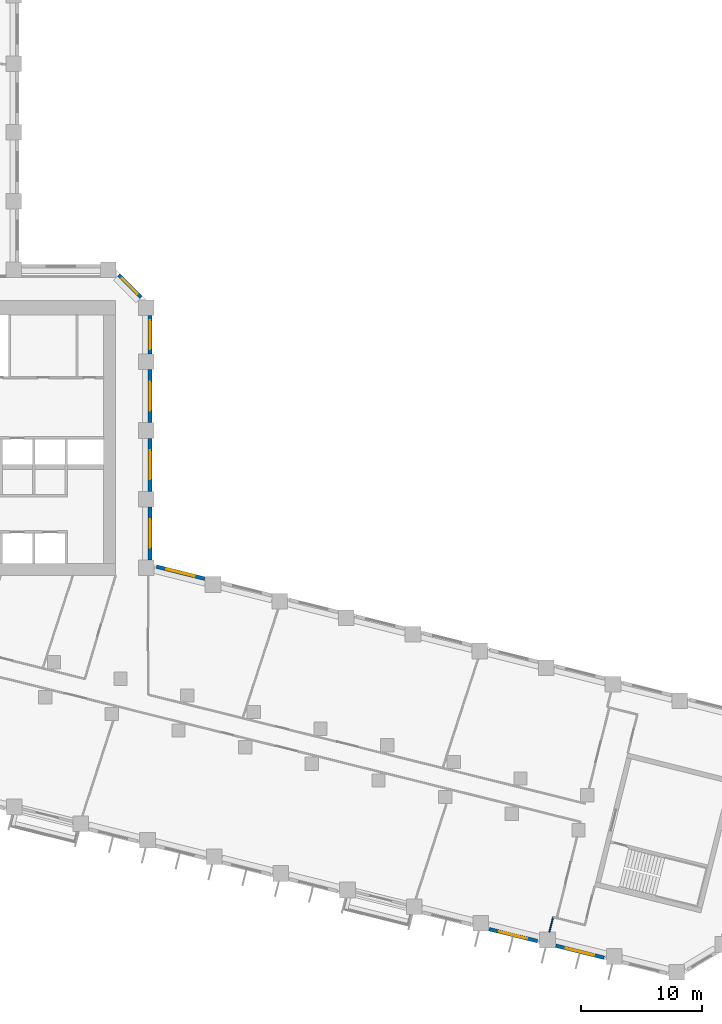
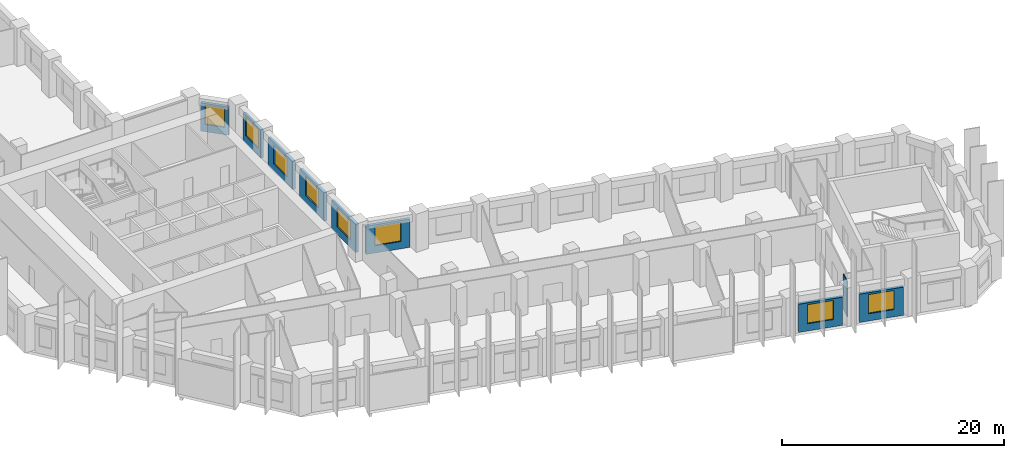
# One storey, part 6 of 11: 9 walls, 8 windows, 8 openings.
"""IFC4 building model written with IfcOpenShell, lengths in metres."""

from ifc_helpers import new_model, si_unit, direction, frame, frame_2d, origin, place, context, subcontext, project, spatial, rectangle, extrude, material, layer, layer_set, type_object, element, fill, save


model = new_model("IFC4")

# Units and contexts
model_context = context("Model", 3, precision=1e-05, world=origin(), true_north=direction((0.0, 1.0)))
body_context = subcontext(model_context, "Body", "Model", "MODEL_VIEW")
ifc_project = project(units=[si_unit("LENGTHUNIT", "METRE"), si_unit("AREAUNIT", "SQUARE_METRE"), si_unit("VOLUMEUNIT", "CUBIC_METRE"), si_unit("PLANEANGLEUNIT", "RADIAN"), si_unit("MASSUNIT", "GRAM", prefix="KILO")], contexts=[model_context])

# Site, building, storey
site_placement = place(None, origin())
site = spatial("IfcSite", under=ifc_project, at=site_placement, CompositionType="ELEMENT")
building_placement = place(site_placement, origin())
building = spatial("IfcBuilding", under=site, at=building_placement, Name="Meshkara Civic Tower", CompositionType="ELEMENT")
storey_placement = place(building_placement, frame((0.0, 0.0, 147.60009765625)))
storey = spatial("IfcBuildingStorey", under=building, at=storey_placement, Name="L33", CompositionType="ELEMENT", Elevation=147.60009765625)

# Wall, opening, window
ifc_material_1 = material(Name="Insulated infill panel with bronze anodised aluminium cladding", Category="aluminium")
ifc_layer_1 = layer(ifc_material_1, 0.300048828125)
ifc_layer_set_1 = layer_set([ifc_layer_1], Name="EXTERNAL INFILL WALL 300")
wall_type_1 = type_object("IfcWallType", Name="EXTERNAL INFILL WALL 300", PredefinedType="SOLIDWALL", material=ifc_layer_set_1)
wall_1_placement = place(storey_placement, frame((38.18896484375, 13.822021484375, 0.0), z_axis=(0.0, 0.0, 1.0), x_axis=(-0.970281616392, 0.241978480223, 0.0)))
wall_1 = element("IfcWall", 1, at=wall_1_placement, inside=storey, type_object=wall_type_1, Name="External wall", PredefinedType="SOLIDWALL", context=body_context, shape_type="SweptSolid", body=[
    extrude(rectangle(XDim=4.12451171875, YDim=0.300048828125, at=frame_2d((2.062255859375, 0.0))), origin(), (0.0, 0.0, 1.0), 3.099853515625),
])
opening_1_placement = place(wall_1_placement, frame((0.862060546875, 0.0, 0.800048828125)))
opening_1 = element("IfcOpeningElement", 2, at=opening_1_placement, cuts=wall_1, Name="Opening W7", PredefinedType="OPENING", context=body_context, shape_type="SweptSolid", body=[
    extrude(rectangle(XDim=2.39990234375, YDim=2.10009765625, at=frame_2d((1.199951171875, 1.050048828125))), frame((0.0, 0.159912109375, 0.0), z_axis=(0.0, -1.0, 0.0), x_axis=(1.0, 0.0, 0.0)), (0.0, 0.0, 1.0), 0.320068359375),
])
ifc_material_2 = material(Name="Tinted double glazing", Category="glass")
window_type_1 = type_object("IfcWindowType", Name="WINDOW 2400x2100", PartitioningType="DOUBLE_PANEL_VERTICAL", PredefinedType="WINDOW", material=ifc_material_2)
window_1_placement = place(opening_1_placement, origin())
window_1 = element("IfcWindow", 3, at=window_1_placement, inside=storey, type_object=window_type_1, Name="Window", OverallHeight=2.10009765625, OverallWidth=2.39990234375, PartitioningType="DOUBLE_PANEL_VERTICAL", PredefinedType="WINDOW", context=body_context, shape_type="SweptSolid", body=[
    extrude(rectangle(XDim=2.39990234375, YDim=2.10009765625, at=frame_2d((1.199951171875, 1.050048828125))), frame((0.0, 0.030029296875, 0.0), z_axis=(0.0, -1.0, 0.0), x_axis=(1.0, 0.0, 0.0)), (0.0, 0.0, 1.0), 0.06005859375),
])
fill(opening_1, window_1)

wall_2_placement = place(storey_placement, frame((33.64990234375, 15.368896484375, 0.0), z_axis=(0.0, 0.0, 1.0), x_axis=(0.0, 1.0, 0.0)))
wall_2 = element("IfcWall", 4, at=wall_2_placement, inside=storey, type_object=wall_type_1, Name="External wall", PredefinedType="SOLIDWALL", context=body_context, shape_type="SweptSolid", body=[
    extrude(rectangle(XDim=4.400146484375, YDim=0.300048828125, at=frame_2d((2.2001953125, 0.0))), origin(), (0.0, 0.0, 1.0), 3.099853515625),
])
opening_2_placement = place(wall_2_placement, frame((1.0, 0.0, 0.800048828125)))
opening_2 = element("IfcOpeningElement", 5, at=opening_2_placement, cuts=wall_2, Name="Opening W7", PredefinedType="OPENING", context=body_context, shape_type="SweptSolid", body=[
    extrude(rectangle(XDim=2.39990234375, YDim=2.10009765625, at=frame_2d((1.199951171875, 1.050048828125))), frame((0.0, 0.159912109375, 0.0), z_axis=(0.0, -1.0, 0.0), x_axis=(1.0, 0.0, 0.0)), (0.0, 0.0, 1.0), 0.320068359375),
])
window_2_placement = place(opening_2_placement, origin())
window_2 = element("IfcWindow", 6, at=window_2_placement, inside=storey, type_object=window_type_1, Name="Window", OverallHeight=2.10009765625, OverallWidth=2.39990234375, PartitioningType="DOUBLE_PANEL_VERTICAL", PredefinedType="WINDOW", context=body_context, shape_type="SweptSolid", body=[
    extrude(rectangle(XDim=2.39990234375, YDim=2.10009765625, at=frame_2d((1.199951171875, 1.050048828125))), frame((0.0, 0.030029296875, 0.0), z_axis=(0.0, -1.0, 0.0), x_axis=(1.0, 0.0, 0.0)), (0.0, 0.0, 1.0), 0.06005859375),
])
fill(opening_2, window_2)

wall_3_placement = place(storey_placement, frame((33.64990234375, 21.069091796875, 0.0), z_axis=(0.0, 0.0, 1.0), x_axis=(0.0, 1.0, 0.0)))
wall_3 = element("IfcWall", 7, at=wall_3_placement, inside=storey, type_object=wall_type_1, Name="External wall", PredefinedType="SOLIDWALL", context=body_context, shape_type="SweptSolid", body=[
    extrude(rectangle(XDim=4.39990234375, YDim=0.300048828125, at=frame_2d((2.199951171875, 0.0))), origin(), (0.0, 0.0, 1.0), 3.099853515625),
])
opening_3_placement = place(wall_3_placement, frame((1.0, 0.0, 0.800048828125)))
opening_3 = element("IfcOpeningElement", 8, at=opening_3_placement, cuts=wall_3, Name="Opening W7", PredefinedType="OPENING", context=body_context, shape_type="SweptSolid", body=[
    extrude(rectangle(XDim=2.39990234375, YDim=2.10009765625, at=frame_2d((1.199951171875, 1.050048828125))), frame((0.0, 0.159912109375, 0.0), z_axis=(0.0, -1.0, 0.0), x_axis=(1.0, 0.0, 0.0)), (0.0, 0.0, 1.0), 0.320068359375),
])
window_3_placement = place(opening_3_placement, origin())
window_3 = element("IfcWindow", 9, at=window_3_placement, inside=storey, type_object=window_type_1, Name="Window", OverallHeight=2.10009765625, OverallWidth=2.39990234375, PartitioningType="DOUBLE_PANEL_VERTICAL", PredefinedType="WINDOW", context=body_context, shape_type="SweptSolid", body=[
    extrude(rectangle(XDim=2.39990234375, YDim=2.10009765625, at=frame_2d((1.199951171875, 1.050048828125))), frame((0.0, 0.030029296875, 0.0), z_axis=(0.0, -1.0, 0.0), x_axis=(1.0, 0.0, 0.0)), (0.0, 0.0, 1.0), 0.06005859375),
])
fill(opening_3, window_3)

wall_4_placement = place(storey_placement, frame((33.64990234375, 26.76904296875, 0.0), z_axis=(0.0, 0.0, 1.0), x_axis=(0.0, 1.0, 0.0)))
wall_4 = element("IfcWall", 10, at=wall_4_placement, inside=storey, type_object=wall_type_1, Name="External wall", PredefinedType="SOLIDWALL", context=body_context, shape_type="SweptSolid", body=[
    extrude(rectangle(XDim=4.39990234375, YDim=0.300048828125, at=frame_2d((2.199951171875, 0.0))), origin(), (0.0, 0.0, 1.0), 3.099853515625),
])
opening_4_placement = place(wall_4_placement, frame((1.0, 0.0, 0.800048828125)))
opening_4 = element("IfcOpeningElement", 11, at=opening_4_placement, cuts=wall_4, Name="Opening W7", PredefinedType="OPENING", context=body_context, shape_type="SweptSolid", body=[
    extrude(rectangle(XDim=2.39990234375, YDim=2.10009765625, at=frame_2d((1.199951171875, 1.050048828125))), frame((0.0, 0.159912109375, 0.0), z_axis=(0.0, -1.0, 0.0), x_axis=(1.0, 0.0, 0.0)), (0.0, 0.0, 1.0), 0.320068359375),
])
window_4_placement = place(opening_4_placement, origin())
window_4 = element("IfcWindow", 12, at=window_4_placement, inside=storey, type_object=window_type_1, Name="Window", OverallHeight=2.10009765625, OverallWidth=2.39990234375, PartitioningType="DOUBLE_PANEL_VERTICAL", PredefinedType="WINDOW", context=body_context, shape_type="SweptSolid", body=[
    extrude(rectangle(XDim=2.39990234375, YDim=2.10009765625, at=frame_2d((1.199951171875, 1.050048828125))), frame((0.0, 0.030029296875, 0.0), z_axis=(0.0, -1.0, 0.0), x_axis=(1.0, 0.0, 0.0)), (0.0, 0.0, 1.0), 0.06005859375),
])
fill(opening_4, window_4)

wall_5_placement = place(storey_placement, frame((33.64990234375, 32.468994140625, 0.0), z_axis=(0.0, 0.0, 1.0), x_axis=(0.0, 1.0, 0.0)))
wall_5 = element("IfcWall", 13, at=wall_5_placement, inside=storey, type_object=wall_type_1, Name="External wall", PredefinedType="SOLIDWALL", context=body_context, shape_type="SweptSolid", body=[
    extrude(rectangle(XDim=3.175048828125, YDim=0.300048828125, at=frame_2d((1.58740234375, 0.0))), origin(), (0.0, 0.0, 1.0), 3.099853515625),
])
opening_5_placement = place(wall_5_placement, frame((0.387939453125, 0.0, 0.800048828125)))
opening_5 = element("IfcOpeningElement", 14, at=opening_5_placement, cuts=wall_5, Name="Opening W7", PredefinedType="OPENING", context=body_context, shape_type="SweptSolid", body=[
    extrude(rectangle(XDim=2.39990234375, YDim=2.10009765625, at=frame_2d((1.199951171875, 1.050048828125))), frame((0.0, 0.159912109375, 0.0), z_axis=(0.0, -1.0, 0.0), x_axis=(1.0, 0.0, 0.0)), (0.0, 0.0, 1.0), 0.320068359375),
])
window_5_placement = place(opening_5_placement, origin())
window_5 = element("IfcWindow", 15, at=window_5_placement, inside=storey, type_object=window_type_1, Name="Window", OverallHeight=2.10009765625, OverallWidth=2.39990234375, PartitioningType="DOUBLE_PANEL_VERTICAL", PredefinedType="WINDOW", context=body_context, shape_type="SweptSolid", body=[
    extrude(rectangle(XDim=2.39990234375, YDim=2.10009765625, at=frame_2d((1.199951171875, 1.050048828125))), frame((0.0, 0.030029296875, 0.0), z_axis=(0.0, -1.0, 0.0), x_axis=(1.0, 0.0, 0.0)), (0.0, 0.0, 1.0), 0.06005859375),
])
fill(opening_5, window_5)

wall_6_placement = place(storey_placement, frame((32.912109375, 37.156005859375, 0.0), z_axis=(0.0, 0.0, 1.0), x_axis=(-0.707153284542, 0.707060274772, 0.0)))
wall_6 = element("IfcWall", 16, at=wall_6_placement, inside=storey, type_object=wall_type_1, Name="External wall", PredefinedType="SOLIDWALL", context=body_context, shape_type="SweptSolid", body=[
    extrude(rectangle(XDim=2.625, YDim=0.300048828125, at=frame_2d((1.3125, 0.0))), origin(), (0.0, 0.0, 1.0), 3.099853515625),
])
opening_6_placement = place(wall_6_placement, frame((0.412109375, 0.0, 0.800048828125)))
opening_6 = element("IfcOpeningElement", 17, at=opening_6_placement, cuts=wall_6, Name="Opening W9", PredefinedType="OPENING", context=body_context, shape_type="SweptSolid", body=[
    extrude(rectangle(XDim=1.800048828125, YDim=2.10009765625, at=frame_2d((0.89990234375, 1.050048828125))), frame((0.0, 0.159912109375, 0.0), z_axis=(0.0, -1.0, 0.0), x_axis=(1.0, 0.0, 0.0)), (0.0, 0.0, 1.0), 0.320068359375),
])
ifc_material_3 = material(Name="Tinted double glazing", Category="glass")
window_type_2 = type_object("IfcWindowType", Name="WINDOW 1800x2100", PartitioningType="DOUBLE_PANEL_VERTICAL", PredefinedType="WINDOW", material=ifc_material_3)
window_6_placement = place(opening_6_placement, origin())
window_6 = element("IfcWindow", 18, at=window_6_placement, inside=storey, type_object=window_type_2, Name="Window", OverallHeight=2.10009765625, OverallWidth=1.800048828125, PartitioningType="DOUBLE_PANEL_VERTICAL", PredefinedType="WINDOW", context=body_context, shape_type="SweptSolid", body=[
    extrude(rectangle(XDim=1.800048828125, YDim=2.10009765625, at=frame_2d((0.89990234375, 1.050048828125))), frame((0.0, 0.030029296875, 0.0), z_axis=(0.0, -1.0, 0.0), x_axis=(1.0, 0.0, 0.0)), (0.0, 0.0, 1.0), 0.06005859375),
])
fill(opening_6, window_6)

wall_7_placement = place(storey_placement, frame((61.7890625, -15.2509765625, 0.0), z_axis=(0.0, 0.0, 1.0), x_axis=(0.970323340708, -0.24181111322, 0.0)))
wall_7 = element("IfcWall", 19, at=wall_7_placement, inside=storey, type_object=wall_type_1, Name="External wall", PredefinedType="SOLIDWALL", context=body_context, shape_type="SweptSolid", body=[
    extrude(rectangle(XDim=4.123291015625, YDim=0.300048828125, at=frame_2d((2.0615234375, 0.0))), origin(), (0.0, 0.0, 1.0), 3.099853515625),
])
opening_7_placement = place(wall_7_placement, frame((0.862060546875, 0.0, 0.800048828125)))
opening_7 = element("IfcOpeningElement", 20, at=opening_7_placement, cuts=wall_7, Name="Opening W7", PredefinedType="OPENING", context=body_context, shape_type="SweptSolid", body=[
    extrude(rectangle(XDim=2.39990234375, YDim=2.10009765625, at=frame_2d((1.199951171875, 1.050048828125))), frame((0.0, 0.159912109375, 0.0), z_axis=(0.0, -1.0, 0.0), x_axis=(1.0, 0.0, 0.0)), (0.0, 0.0, 1.0), 0.320068359375),
])
window_7_placement = place(opening_7_placement, origin())
window_7 = element("IfcWindow", 21, at=window_7_placement, inside=storey, type_object=window_type_1, Name="Window", OverallHeight=2.10009765625, OverallWidth=2.39990234375, PartitioningType="DOUBLE_PANEL_VERTICAL", PredefinedType="WINDOW", context=body_context, shape_type="SweptSolid", body=[
    extrude(rectangle(XDim=2.39990234375, YDim=2.10009765625, at=frame_2d((1.199951171875, 1.050048828125))), frame((0.0, 0.030029296875, 0.0), z_axis=(0.0, -1.0, 0.0), x_axis=(1.0, 0.0, 0.0)), (0.0, 0.0, 1.0), 0.06005859375),
])
fill(opening_7, window_7)

wall_8_placement = place(storey_placement, frame((67.319091796875, -16.6298828125, 0.0), z_axis=(0.0, 0.0, 1.0), x_axis=(0.970337184445, -0.241755555227, 0.0)))
wall_8 = element("IfcWall", 22, at=wall_8_placement, inside=storey, type_object=wall_type_1, Name="External wall", PredefinedType="SOLIDWALL", context=body_context, shape_type="SweptSolid", body=[
    extrude(rectangle(XDim=4.124267578125, YDim=0.300048828125, at=frame_2d((2.06201171875, 0.0))), origin(), (0.0, 0.0, 1.0), 3.099853515625),
])
opening_8_placement = place(wall_8_placement, frame((0.862060546875, 0.0, 0.800048828125)))
opening_8 = element("IfcOpeningElement", 23, at=opening_8_placement, cuts=wall_8, Name="Opening W7", PredefinedType="OPENING", context=body_context, shape_type="SweptSolid", body=[
    extrude(rectangle(XDim=2.39990234375, YDim=2.10009765625, at=frame_2d((1.199951171875, 1.050048828125))), frame((0.0, 0.159912109375, 0.0), z_axis=(0.0, -1.0, 0.0), x_axis=(1.0, 0.0, 0.0)), (0.0, 0.0, 1.0), 0.320068359375),
])
window_8_placement = place(opening_8_placement, origin())
window_8 = element("IfcWindow", 24, at=window_8_placement, inside=storey, type_object=window_type_1, Name="Window", OverallHeight=2.10009765625, OverallWidth=2.39990234375, PartitioningType="DOUBLE_PANEL_VERTICAL", PredefinedType="WINDOW", context=body_context, shape_type="SweptSolid", body=[
    extrude(rectangle(XDim=2.39990234375, YDim=2.10009765625, at=frame_2d((1.199951171875, 1.050048828125))), frame((0.0, 0.030029296875, 0.0), z_axis=(0.0, -1.0, 0.0), x_axis=(1.0, 0.0, 0.0)), (0.0, 0.0, 1.0), 0.06005859375),
])
fill(opening_8, window_8)

# Wall
ifc_material_4 = material(Name="Partition 100")
ifc_layer_2 = layer(ifc_material_4, 0.10009765625)
ifc_layer_set_2 = layer_set([ifc_layer_2], Name="Partition 100")
wall_type_2 = type_object("IfcWallType", Name="Partition 100", PredefinedType="PARTITIONING", material=ifc_layer_set_2)
wall_9_placement = place(storey_placement, frame((66.7890625, -15.498046875, 0.0), z_axis=(0.0, 0.0, 1.0), x_axis=(0.242221476086, 0.970220983345, 0.0)))
element("IfcWall", 25, at=wall_9_placement, inside=storey, type_object=wall_type_2, Name="L33-W052", PredefinedType="PARTITIONING", context=body_context, shape_type="SweptSolid", body=[
    extrude(rectangle(XDim=1.280029296875, YDim=0.10009765625, at=frame_2d((0.64013671875, 0.0))), origin(), (0.0, 0.0, 1.0), 3.89990234375),
])

save(model, "model.ifc")
